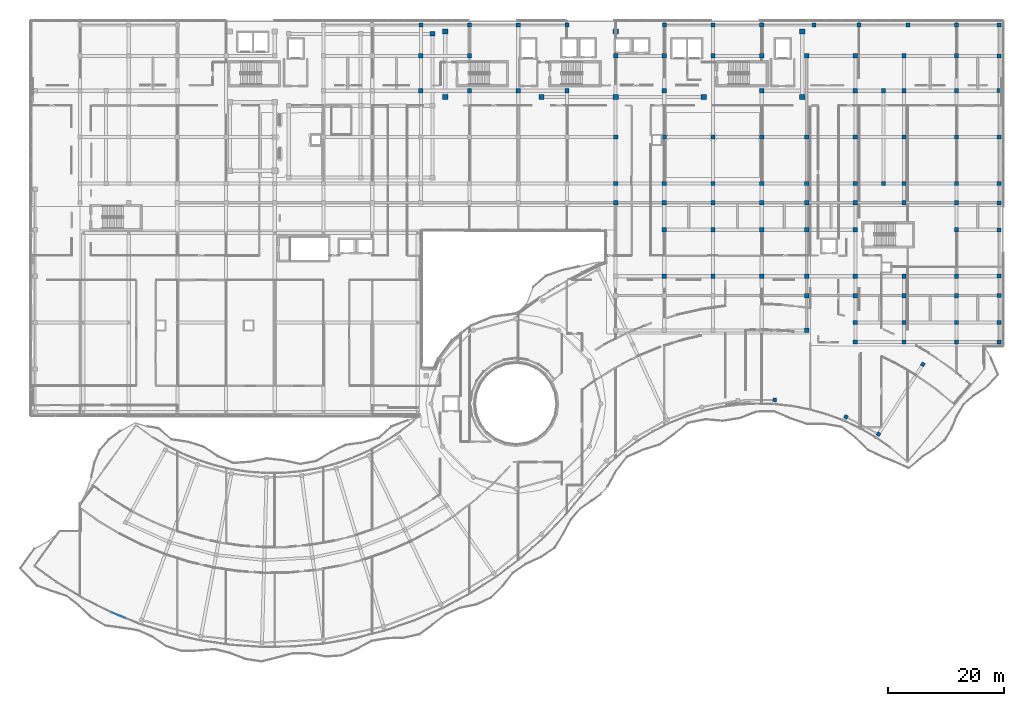
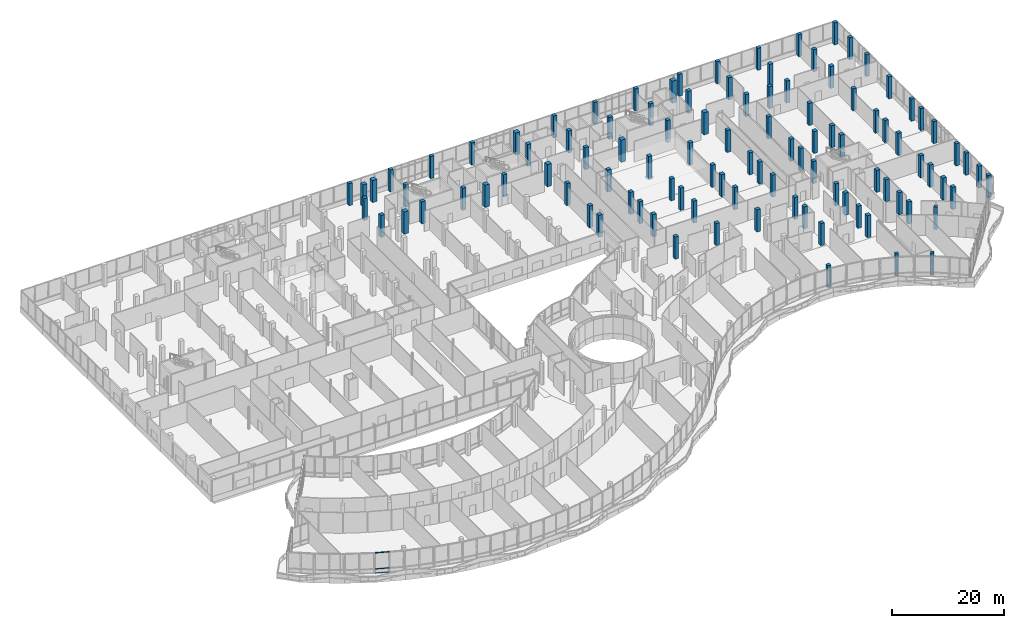
# One storey, part 11 of 155: 104 columns, 3 members, 1 element without a shape of its own.
"""IFC4 building model written with IfcOpenShell, lengths in metres."""

from ifc_helpers import new_model, si_unit, direction, frame, origin, origin_2d, place, context, subcontext, project, spatial, rectangle, hollow_rectangle, extrude, material, material_profile, profile_set, type_object, element, aggregate, save


model = new_model("IFC4")

# Units and contexts
model_context = context("Model", 3, precision=1e-05, world=origin(), true_north=direction((0.0, 1.0)))
body_context = subcontext(model_context, "Body", "Model", "MODEL_VIEW")
ifc_project = project(units=[si_unit("LENGTHUNIT", "METRE"), si_unit("AREAUNIT", "SQUARE_METRE"), si_unit("VOLUMEUNIT", "CUBIC_METRE"), si_unit("PLANEANGLEUNIT", "RADIAN"), si_unit("MASSUNIT", "GRAM", prefix="KILO")], contexts=[model_context])

# Site, building, storey
site_placement = place(None, origin())
site = spatial("IfcSite", under=ifc_project, at=site_placement, CompositionType="ELEMENT")
building_placement = place(site_placement, origin())
building = spatial("IfcBuilding", under=site, at=building_placement, Name="Selatvlak General Hospital", CompositionType="ELEMENT")
storey_placement = place(building_placement, frame((0.0, 0.0, 10.199951171875)))
storey = spatial("IfcBuildingStorey", under=building, at=storey_placement, Name="L02", CompositionType="ELEMENT", Elevation=10.199951171875)

# Columns
ifc_material_1 = material(Name="Concrete C40/50", Category="concrete")
ifc_material_profile_1 = material_profile(ifc_material_1, rectangle(XDim=0.64990234375, YDim=0.64990234375, at=origin_2d()), Name="RC-COL 650x650")
ifc_profile_set_1 = profile_set([ifc_material_profile_1], Name="Concrete C40/50")
column_type_1 = type_object("IfcColumnType", Name="COL-RC65", PredefinedType="COLUMN", material=ifc_profile_set_1)
for number, where, z_axis, x_axis, name in (
    (1, (142.633056640625, 54.658935546875, 0.0), (0.0, 0.0, 1.0), (0.068938143839, 0.99762093619, 0.0), "Column 347 on L02"),
    (2, (154.927978515625, 51.716064453125, 0.0), (0.0, 0.0, 1.0), (0.390393719602, 0.920648002059, 0.0), "Column 348 on L02"),
    (3, (168.197998046875, 60.783935546875, 0.0), (0.0, 0.0, 1.0), (0.537064068078, 0.843541455282, 0.0), "Column 349 on L02"),
    (4, (160.544921875, 48.763916015625, 0.0), (0.0, 0.0, 1.0), (0.537064068078, 0.843541455282, 0.0), "Column 350 on L02"),
):
    element("IfcColumn", number, at=place(storey_placement, frame(where, z_axis=z_axis, x_axis=x_axis)), inside=storey, type_object=column_type_1, Name=name, PredefinedType="COLUMN", context=body_context, shape_type="SweptSolid", body=[
        extrude(rectangle(XDim=0.64990234375, YDim=0.64990234375, at=origin_2d()), origin(), (0.0, 0.0, 1.0), 4.800048828125),
    ])
ifc_material_profile_2 = material_profile(ifc_material_1, rectangle(XDim=0.699951171875, YDim=0.699951171875, at=origin_2d()), Name="RC-COL 700x700")
ifc_profile_set_2 = profile_set([ifc_material_profile_2], Name="Concrete C40/50")
column_type_2 = type_object("IfcColumnType", Name="COL-RC70", PredefinedType="COLUMN", material=ifc_profile_set_2)
for number, where, z_axis, x_axis, name in (
    (5, (149.39990234375, 119.35009765625, 0.0), (0.0, 0.0, 1.0), (1.0, 0.0, 0.0), "Column 122 on L02"),
    (6, (157.199951171875, 119.35009765625, 0.0), (0.0, 0.0, 1.0), (1.0, 0.0, 0.0), "Column 123 on L02"),
    (7, (165.60009765625, 119.35009765625, 0.0), (0.0, 0.0, 1.0), (1.0, 0.0, 0.0), "Column 124 on L02"),
    (8, (174.0, 119.35009765625, 0.0), (0.0, 0.0, 1.0), (1.0, 0.0, 0.0), "Column 125 on L02"),
    (9, (181.35009765625, 119.35009765625, 0.0), (0.0, 0.0, 1.0), (1.0, 0.0, 0.0), "Column 126 on L02"),
    (10, (81.60009765625, 119.35009765625, 0.0), (0.0, 0.0, 1.0), (1.0, 0.0, 0.0), "Column 206 on L02"),
    (11, (90.0, 119.35009765625, 0.0), (0.0, 0.0, 1.0), (1.0, 0.0, 0.0), "Column 215 on L02"),
    (12, (98.39990234375, 119.35009765625, 0.0), (0.0, 0.0, 1.0), (1.0, 0.0, 0.0), "Column 222 on L02"),
    (13, (106.800048828125, 119.35009765625, 0.0), (0.0, 0.0, 1.0), (1.0, 0.0, 0.0), "Column 228 on L02"),
    (14, (123.60009765625, 119.35009765625, 0.0), (0.0, 0.0, 1.0), (1.0, 0.0, 0.0), "Column 245 on L02"),
    (15, (132.0, 119.35009765625, 0.0), (0.0, 0.0, 1.0), (1.0, 0.0, 0.0), "Column 254 on L02"),
    (16, (140.39990234375, 119.35009765625, 0.0), (0.0, 0.0, 1.0), (1.0, 0.0, 0.0), "Column 264 on L02"),
    (17, (181.35009765625, 64.64990234375, 0.0), (0.0, 0.0, 1.0), (1.0, 0.0, 0.0), "Column 304 on L02"),
    (18, (181.35009765625, 68.0, 0.0), (0.0, 0.0, 1.0), (1.0, 0.0, 0.0), "Column 305 on L02"),
    (19, (181.35009765625, 72.64990234375, 0.0), (0.0, 0.0, 1.0), (1.0, 0.0, 0.0), "Column 306 on L02"),
    (20, (181.35009765625, 76.0, 0.0), (0.0, 0.0, 1.0), (1.0, 0.0, 0.0), "Column 307 on L02"),
    (21, (181.35009765625, 84.0, 0.0), (0.0, 0.0, 1.0), (1.0, 0.0, 0.0), "Column 308 on L02"),
    (22, (181.35009765625, 88.64990234375, 0.0), (0.0, 0.0, 1.0), (1.0, 0.0, 0.0), "Column 309 on L02"),
    (23, (181.35009765625, 92.0, 0.0), (0.0, 0.0, 1.0), (1.0, 0.0, 0.0), "Column 310 on L02"),
    (24, (181.35009765625, 100.0, 0.0), (0.0, 0.0, 1.0), (1.0, 0.0, 0.0), "Column 311 on L02"),
    (25, (181.35009765625, 108.0, 0.0), (0.0, 0.0, 1.0), (1.0, 0.0, 0.0), "Column 312 on L02"),
    (26, (181.35009765625, 114.0, 0.0), (0.0, 0.0, 1.0), (1.0, 0.0, 0.0), "Column 313 on L02"),
):
    element("IfcColumn", number, at=place(storey_placement, frame(where, z_axis=z_axis, x_axis=x_axis)), inside=storey, type_object=column_type_2, Name=name, PredefinedType="COLUMN", context=body_context, shape_type="SweptSolid", body=[
        extrude(rectangle(XDim=0.699951171875, YDim=0.699951171875, at=origin_2d()), origin(), (0.0, 0.0, 1.0), 4.800048828125),
    ])
ifc_material_2 = material(Name="Concrete C50/60", Category="concrete")
ifc_material_profile_3 = material_profile(ifc_material_2, rectangle(XDim=0.75, YDim=0.75, at=origin_2d()), Name="RC-COL 750x750")
ifc_profile_set_3 = profile_set([ifc_material_profile_3], Name="Concrete C50/60")
column_type_3 = type_object("IfcColumnType", Name="COL-RC75", PredefinedType="COLUMN", material=ifc_profile_set_3)
for number, where, z_axis, x_axis, name in (
    (27, (161.39990234375, 92.0, 0.0), (0.0, 0.0, 1.0), (1.0, 0.0, 0.0), "Column 113 on L02"),
    (28, (161.39990234375, 108.0, 0.0), (0.0, 0.0, 1.0), (1.0, 0.0, 0.0), "Column 114 on L02"),
    (29, (81.60009765625, 108.0, 0.0), (0.0, 0.0, 1.0), (1.0, 0.0, 0.0), "Column 204 on L02"),
    (30, (81.60009765625, 114.0, 0.0), (0.0, 0.0, 1.0), (1.0, 0.0, 0.0), "Column 205 on L02"),
    (31, (90.0, 108.0, 0.0), (0.0, 0.0, 1.0), (1.0, 0.0, 0.0), "Column 213 on L02"),
    (32, (90.0, 114.0, 0.0), (0.0, 0.0, 1.0), (1.0, 0.0, 0.0), "Column 214 on L02"),
    (33, (98.39990234375, 108.0, 0.0), (0.0, 0.0, 1.0), (1.0, 0.0, 0.0), "Column 221 on L02"),
    (34, (106.800048828125, 108.0, 0.0), (0.0, 0.0, 1.0), (1.0, 0.0, 0.0), "Column 227 on L02"),
    (35, (115.199951171875, 88.64990234375, 0.0), (0.0, 0.0, 1.0), (1.0, 0.0, 0.0), "Column 232 on L02"),
    (36, (115.199951171875, 92.0, 0.0), (0.0, 0.0, 1.0), (1.0, 0.0, 0.0), "Column 233 on L02"),
    (37, (115.199951171875, 100.0, 0.0), (0.0, 0.0, 1.0), (1.0, 0.0, 0.0), "Column 234 on L02"),
    (38, (115.199951171875, 114.0, 0.0), (0.0, 0.0, 1.0), (1.0, 0.0, 0.0), "Column 235 on L02"),
    (39, (123.60009765625, 76.0, 0.0), (0.0, 0.0, 1.0), (1.0, 0.0, 0.0), "Column 238 on L02"),
    (40, (123.60009765625, 84.0, 0.0), (0.0, 0.0, 1.0), (1.0, 0.0, 0.0), "Column 239 on L02"),
    (41, (123.60009765625, 88.64990234375, 0.0), (0.0, 0.0, 1.0), (1.0, 0.0, 0.0), "Column 240 on L02"),
    (42, (123.60009765625, 92.0, 0.0), (0.0, 0.0, 1.0), (1.0, 0.0, 0.0), "Column 241 on L02"),
    (43, (123.60009765625, 100.0, 0.0), (0.0, 0.0, 1.0), (1.0, 0.0, 0.0), "Column 242 on L02"),
    (44, (123.60009765625, 108.0, 0.0), (0.0, 0.0, 1.0), (1.0, 0.0, 0.0), "Column 243 on L02"),
    (45, (123.60009765625, 114.0, 0.0), (0.0, 0.0, 1.0), (1.0, 0.0, 0.0), "Column 244 on L02"),
    (46, (132.0, 76.0, 0.0), (0.0, 0.0, 1.0), (1.0, 0.0, 0.0), "Column 248 on L02"),
    (47, (132.0, 84.0, 0.0), (0.0, 0.0, 1.0), (1.0, 0.0, 0.0), "Column 249 on L02"),
    (48, (132.0, 88.64990234375, 0.0), (0.0, 0.0, 1.0), (1.0, 0.0, 0.0), "Column 250 on L02"),
    (49, (132.0, 92.0, 0.0), (0.0, 0.0, 1.0), (1.0, 0.0, 0.0), "Column 251 on L02"),
    (50, (132.0, 100.0, 0.0), (0.0, 0.0, 1.0), (1.0, 0.0, 0.0), "Column 252 on L02"),
    (51, (132.0, 114.0, 0.0), (0.0, 0.0, 1.0), (1.0, 0.0, 0.0), "Column 253 on L02"),
    (52, (140.39990234375, 76.0, 0.0), (0.0, 0.0, 1.0), (1.0, 0.0, 0.0), "Column 257 on L02"),
    (53, (140.39990234375, 84.0, 0.0), (0.0, 0.0, 1.0), (1.0, 0.0, 0.0), "Column 258 on L02"),
    (54, (140.39990234375, 88.64990234375, 0.0), (0.0, 0.0, 1.0), (1.0, 0.0, 0.0), "Column 259 on L02"),
    (55, (140.39990234375, 92.0, 0.0), (0.0, 0.0, 1.0), (1.0, 0.0, 0.0), "Column 260 on L02"),
    (56, (140.39990234375, 100.0, 0.0), (0.0, 0.0, 1.0), (1.0, 0.0, 0.0), "Column 261 on L02"),
    (57, (140.39990234375, 108.0, 0.0), (0.0, 0.0, 1.0), (1.0, 0.0, 0.0), "Column 262 on L02"),
    (58, (140.39990234375, 114.0, 0.0), (0.0, 0.0, 1.0), (1.0, 0.0, 0.0), "Column 263 on L02"),
    (59, (148.14990234375, 66.64990234375, 0.0), (0.0, 0.0, 1.0), (1.0, 0.0, 0.0), "Column 266 on L02"),
    (60, (148.14990234375, 72.64990234375, 0.0), (0.0, 0.0, 1.0), (1.0, 0.0, 0.0), "Column 267 on L02"),
    (61, (148.14990234375, 76.0, 0.0), (0.0, 0.0, 1.0), (1.0, 0.0, 0.0), "Column 268 on L02"),
    (62, (148.14990234375, 84.0, 0.0), (0.0, 0.0, 1.0), (1.0, 0.0, 0.0), "Column 269 on L02"),
    (63, (148.14990234375, 88.64990234375, 0.0), (0.0, 0.0, 1.0), (1.0, 0.0, 0.0), "Column 270 on L02"),
    (64, (148.14990234375, 92.0, 0.0), (0.0, 0.0, 1.0), (1.0, 0.0, 0.0), "Column 271 on L02"),
    (65, (148.14990234375, 100.0, 0.0), (0.0, 0.0, 1.0), (1.0, 0.0, 0.0), "Column 272 on L02"),
    (66, (148.14990234375, 114.0, 0.0), (0.0, 0.0, 1.0), (1.0, 0.0, 0.0), "Column 273 on L02"),
    (67, (156.550048828125, 64.64990234375, 0.0), (0.0, 0.0, 1.0), (1.0, 0.0, 0.0), "Column 274 on L02"),
    (68, (156.550048828125, 68.0, 0.0), (0.0, 0.0, 1.0), (1.0, 0.0, 0.0), "Column 275 on L02"),
    (69, (156.550048828125, 72.64990234375, 0.0), (0.0, 0.0, 1.0), (1.0, 0.0, 0.0), "Column 276 on L02"),
    (70, (156.550048828125, 76.0, 0.0), (0.0, 0.0, 1.0), (1.0, 0.0, 0.0), "Column 277 on L02"),
    (71, (156.550048828125, 84.0, 0.0), (0.0, 0.0, 1.0), (1.0, 0.0, 0.0), "Column 278 on L02"),
    (72, (156.550048828125, 88.64990234375, 0.0), (0.0, 0.0, 1.0), (1.0, 0.0, 0.0), "Column 279 on L02"),
    (73, (156.550048828125, 92.0, 0.0), (0.0, 0.0, 1.0), (1.0, 0.0, 0.0), "Column 280 on L02"),
    (74, (156.550048828125, 100.0, 0.0), (0.0, 0.0, 1.0), (1.0, 0.0, 0.0), "Column 281 on L02"),
    (75, (156.550048828125, 108.0, 0.0), (0.0, 0.0, 1.0), (1.0, 0.0, 0.0), "Column 282 on L02"),
    (76, (156.550048828125, 114.0, 0.0), (0.0, 0.0, 1.0), (1.0, 0.0, 0.0), "Column 283 on L02"),
    (77, (164.949951171875, 64.64990234375, 0.0), (0.0, 0.0, 1.0), (1.0, 0.0, 0.0), "Column 284 on L02"),
    (78, (164.949951171875, 68.0, 0.0), (0.0, 0.0, 1.0), (1.0, 0.0, 0.0), "Column 285 on L02"),
    (79, (164.949951171875, 72.64990234375, 0.0), (0.0, 0.0, 1.0), (1.0, 0.0, 0.0), "Column 286 on L02"),
    (80, (164.949951171875, 76.0, 0.0), (0.0, 0.0, 1.0), (1.0, 0.0, 0.0), "Column 287 on L02"),
    (81, (164.949951171875, 88.64990234375, 0.0), (0.0, 0.0, 1.0), (1.0, 0.0, 0.0), "Column 288 on L02"),
    (82, (164.949951171875, 92.0, 0.0), (0.0, 0.0, 1.0), (1.0, 0.0, 0.0), "Column 289 on L02"),
    (83, (164.949951171875, 100.0, 0.0), (0.0, 0.0, 1.0), (1.0, 0.0, 0.0), "Column 290 on L02"),
    (84, (164.949951171875, 108.0, 0.0), (0.0, 0.0, 1.0), (1.0, 0.0, 0.0), "Column 291 on L02"),
    (85, (164.949951171875, 114.0, 0.0), (0.0, 0.0, 1.0), (1.0, 0.0, 0.0), "Column 292 on L02"),
    (86, (174.0, 64.64990234375, 0.0), (0.0, 0.0, 1.0), (1.0, 0.0, 0.0), "Column 294 on L02"),
    (87, (174.0, 68.0, 0.0), (0.0, 0.0, 1.0), (1.0, 0.0, 0.0), "Column 295 on L02"),
    (88, (174.0, 72.64990234375, 0.0), (0.0, 0.0, 1.0), (1.0, 0.0, 0.0), "Column 296 on L02"),
    (89, (174.0, 76.0, 0.0), (0.0, 0.0, 1.0), (1.0, 0.0, 0.0), "Column 297 on L02"),
    (90, (174.0, 84.0, 0.0), (0.0, 0.0, 1.0), (1.0, 0.0, 0.0), "Column 298 on L02"),
    (91, (174.0, 88.64990234375, 0.0), (0.0, 0.0, 1.0), (1.0, 0.0, 0.0), "Column 299 on L02"),
    (92, (174.0, 92.0, 0.0), (0.0, 0.0, 1.0), (1.0, 0.0, 0.0), "Column 300 on L02"),
    (93, (174.0, 100.0, 0.0), (0.0, 0.0, 1.0), (1.0, 0.0, 0.0), "Column 301 on L02"),
    (94, (174.0, 108.0, 0.0), (0.0, 0.0, 1.0), (1.0, 0.0, 0.0), "Column 302 on L02"),
    (95, (174.0, 114.0, 0.0), (0.0, 0.0, 1.0), (1.0, 0.0, 0.0), "Column 303 on L02"),
):
    element("IfcColumn", number, at=place(storey_placement, frame(where, z_axis=z_axis, x_axis=x_axis)), inside=storey, type_object=column_type_3, Name=name, PredefinedType="COLUMN", context=body_context, shape_type="SweptSolid", body=[
        extrude(rectangle(XDim=0.75, YDim=0.75, at=origin_2d()), origin(), (0.0, 0.0, 1.0), 4.800048828125),
    ])
ifc_material_profile_4 = material_profile(ifc_material_2, rectangle(XDim=0.800048828125, YDim=0.800048828125, at=origin_2d()), Name="RC-COL 800x800")
ifc_profile_set_4 = profile_set([ifc_material_profile_4], Name="Concrete C50/60")
column_type_4 = type_object("IfcColumnType", Name="COL-RC80", PredefinedType="COLUMN", material=ifc_profile_set_4)
column_placement = place(storey_placement, frame((83.60009765625, 117.800048828125, 0.0), z_axis=(0.0, 0.0, 1.0), x_axis=(1.0, 0.0, 0.0)))
element("IfcColumn", 96, at=column_placement, inside=storey, type_object=column_type_4, Name="Column 045 on L02", PredefinedType="COLUMN", context=body_context, shape_type="SweptSolid", body=[
    extrude(rectangle(XDim=0.800048828125, YDim=0.800048828125, at=origin_2d()), origin(), (0.0, 0.0, 1.0), 4.800048828125),
])
ifc_material_profile_5 = material_profile(ifc_material_2, rectangle(XDim=0.89990234375, YDim=0.89990234375, at=origin_2d()), Name="RC-COL 900x900")
ifc_profile_set_5 = profile_set([ifc_material_profile_5], Name="Concrete C50/60")
column_type_5 = type_object("IfcColumnType", Name="COL-RC90", PredefinedType="COLUMN", material=ifc_profile_set_5)
for number, where, z_axis, x_axis, name in (
    (97, (85.800048828125, 106.89990234375, 0.0), (0.0, 0.0, 1.0), (1.0, 0.0, 0.0), "Column 052 on L02"),
    (98, (102.39990234375, 106.89990234375, 0.0), (0.0, 0.0, 1.0), (1.0, 0.0, 0.0), "Column 053 on L02"),
    (99, (115.199951171875, 106.89990234375, 0.0), (0.0, 0.0, 1.0), (1.0, 0.0, 0.0), "Column 054 on L02"),
    (100, (130.39990234375, 106.89990234375, 0.0), (0.0, 0.0, 1.0), (1.0, 0.0, 0.0), "Column 055 on L02"),
    (101, (147.39990234375, 106.89990234375, 0.0), (0.0, 0.0, 1.0), (1.0, 0.0, 0.0), "Column 056 on L02"),
    (102, (85.800048828125, 118.199951171875, 0.0), (0.0, 0.0, 1.0), (1.0, 0.0, 0.0), "Column 057 on L02"),
    (103, (115.199951171875, 118.199951171875, 0.0), (0.0, 0.0, 1.0), (1.0, 0.0, 0.0), "Column 058 on L02"),
    (104, (147.39990234375, 118.199951171875, 0.0), (0.0, 0.0, 1.0), (1.0, 0.0, 0.0), "Column 059 on L02"),
):
    element("IfcColumn", number, at=place(storey_placement, frame(where, z_axis=z_axis, x_axis=x_axis)), inside=storey, type_object=column_type_5, Name=name, PredefinedType="COLUMN", context=body_context, shape_type="SweptSolid", body=[
        extrude(rectangle(XDim=0.89990234375, YDim=0.89990234375, at=origin_2d()), origin(), (0.0, 0.0, 1.0), 4.800048828125),
    ])

# Curtain wall, members
ifc_material_3 = material(Name="Solar-control Low-E double glazing", Category="glass")
curtain_wall_type = type_object("IfcCurtainWallType", Name="CW-CW-01", PredefinedType="USERDEFINED", material=ifc_material_3)
curtain_wall_placement = place(storey_placement, origin())
curtain_wall = element("IfcCurtainWall", 105, at=curtain_wall_placement, inside=storey, type_object=curtain_wall_type, Name="Glazed facade curtain wall CW-L02-0311", ObjectType="UNITISED CURTAIN WALL", PredefinedType="USERDEFINED")
ifc_material_4 = material(Name="Dark anodised aluminium mullion", Category="aluminium")
ifc_material_profile_6 = material_profile(ifc_material_4, hollow_rectangle(XDim=0.06494140625, YDim=0.1201171875, WallThickness=0.00390625, at=origin_2d()), Name="AL-TRN 65x120x4")
ifc_profile_set_6 = profile_set([ifc_material_profile_6], Name="Dark anodised aluminium mullion")
member_type = type_object("IfcMemberType", Name="CWT-01", PredefinedType="USERDEFINED", material=ifc_profile_set_6)
member_1_placement = place(storey_placement, frame((30.6259765625, 17.00927734375, 0.032470703125), z_axis=(-0.926914249948, 0.375273198142, 0.0), x_axis=(-0.375273198142, -0.926914249948, 0.0)))
member_1 = element("IfcMember", 106, at=member_1_placement, type_object=member_type, Name="CW-01 transom 2.1", ObjectType="TRANSOM", PredefinedType="USERDEFINED", context=body_context, shape_type="SweptSolid", body=[
    extrude(hollow_rectangle(XDim=0.06494140625, YDim=0.1201171875, WallThickness=0.00390625, at=origin_2d()), origin(), (0.0, 0.0, 1.0), 2.545654296875),
])
member_2_placement = place(storey_placement, frame((30.6259765625, 17.00927734375, 0.949951171875), z_axis=(-0.926914249948, 0.375273198142, 0.0), x_axis=(-0.375273198142, -0.926914249948, 0.0)))
member_2 = element("IfcMember", 107, at=member_2_placement, type_object=member_type, Name="CW-01 transom 2.2", ObjectType="TRANSOM", PredefinedType="USERDEFINED", context=body_context, shape_type="SweptSolid", body=[
    extrude(hollow_rectangle(XDim=0.06494140625, YDim=0.1201171875, WallThickness=0.00390625, at=origin_2d()), origin(), (0.0, 0.0, 1.0), 2.545654296875),
])
member_3_placement = place(storey_placement, frame((30.6259765625, 17.00927734375, 4.427490234375), z_axis=(-0.926914249948, 0.375273198142, 0.0), x_axis=(-0.375273198142, -0.926914249948, 0.0)))
member_3 = element("IfcMember", 108, at=member_3_placement, type_object=member_type, Name="CW-01 transom 2.3", ObjectType="TRANSOM", PredefinedType="USERDEFINED", context=body_context, shape_type="SweptSolid", body=[
    extrude(hollow_rectangle(XDim=0.06494140625, YDim=0.1201171875, WallThickness=0.00390625, at=origin_2d()), origin(), (0.0, 0.0, 1.0), 2.545654296875),
])
aggregate(curtain_wall, [member_1, member_2, member_3])

save(model, "model.ifc")
